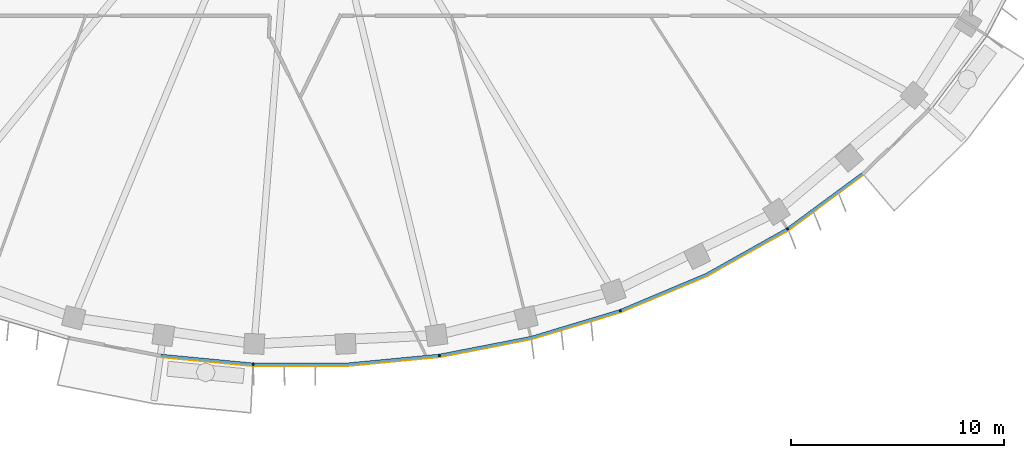
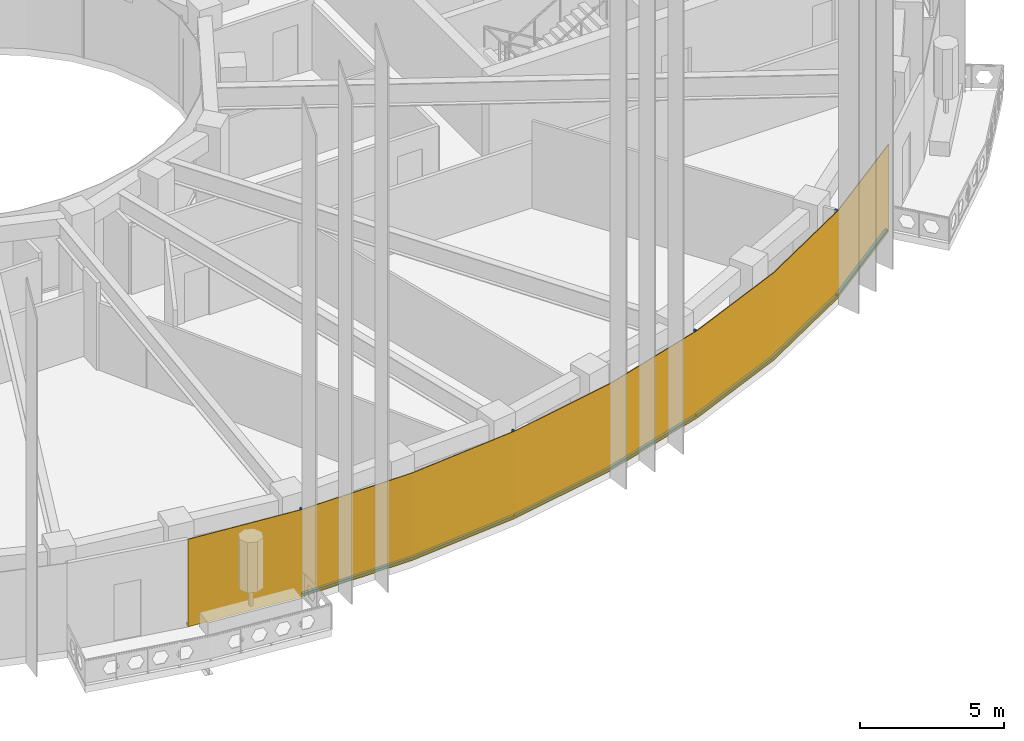
# One storey, part 9 of 17: 9 members, 1 curtain wall.
"""IFC4 building model written with IfcOpenShell, lengths in metres."""

from ifc_helpers import new_model, si_unit, direction, frame, origin, origin_2d, place, context, subcontext, project, spatial, polyline, rectangle, outline, extrude, material, layer, layer_set, material_profile, profile_set, type_object, element, aggregate, save


model = new_model("IFC4")

# Units and contexts
model_context = context("Model", 3, precision=1e-05, world=origin(), true_north=direction((0.0, 1.0)))
body_context = subcontext(model_context, "Body", "Model", "MODEL_VIEW")
ifc_project = project(units=[si_unit("LENGTHUNIT", "METRE"), si_unit("AREAUNIT", "SQUARE_METRE"), si_unit("VOLUMEUNIT", "CUBIC_METRE"), si_unit("PLANEANGLEUNIT", "RADIAN"), si_unit("MASSUNIT", "GRAM", prefix="KILO")], contexts=[model_context])

# Member
ifc_material_1 = material(Name="Aluminium 6063-T6 black anodised", Category="aluminium")
ifc_material_profile = material_profile(ifc_material_1, rectangle(XDim=0.1201171875, YDim=0.06005859375, at=origin_2d()), Name="120x60")
ifc_profile_set = profile_set([ifc_material_profile], Name="Aluminium 6063-T6 black anodised")
member_type_1 = type_object("IfcMemberType", Name="ENV-MULLION-A-120", PredefinedType="MULLION", material=ifc_profile_set)
site_placement = place(None, origin())
building_placement = place(site_placement, origin())
storey_placement = place(building_placement, frame((0.0, 0.0, 291.0)))
member_1_placement = place(storey_placement, frame((-2.188720703125, -27.856201171875, 0.0), z_axis=(0.0, 0.0, 1.0), x_axis=(0.047557873581, 0.998868484166, 0.0)))
member_1 = element("IfcMember", 1, at=member_1_placement, type_object=member_type_1, Name="Mullion A radial 35", PredefinedType="MULLION", context=body_context, shape_type="SweptSolid", body=[
    extrude(rectangle(XDim=0.1201171875, YDim=0.06005859375, at=origin_2d()), origin(), (0.0, 0.0, 1.0), 3.699951171875),
])

member_2_placement = place(storey_placement, frame((6.54638671875, -27.440185546875, 0.0), z_axis=(0.0, 0.0, 1.0), x_axis=(-0.143082012705, 0.989710835366, 0.0)))
member_2 = element("IfcMember", 2, at=member_2_placement, type_object=member_type_1, Name="Mullion A radial 37", PredefinedType="MULLION", context=body_context, shape_type="SweptSolid", body=[
    extrude(rectangle(XDim=0.1201171875, YDim=0.06005859375, at=origin_2d()), origin(), (0.0, 0.0, 1.0), 3.699951171875),
])

member_3_placement = place(storey_placement, frame((15.0341796875, -25.34375, 0.0), z_axis=(0.0, 0.0, 1.0), x_axis=(-0.338379256581, 0.941009818608, 0.0)))
member_3 = element("IfcMember", 3, at=member_3_placement, type_object=member_type_1, Name="Mullion A radial 39", PredefinedType="MULLION", context=body_context, shape_type="SweptSolid", body=[
    extrude(rectangle(XDim=0.1201171875, YDim=0.06005859375, at=origin_2d()), origin(), (0.0, 0.0, 1.0), 3.699951171875),
])

member_4_placement = place(storey_placement, frame((22.882568359375, -21.506591796875, 0.0), z_axis=(0.0, 0.0, 1.0), x_axis=(-0.542279153225, 0.840198381323, 0.0)))
member_4 = element("IfcMember", 4, at=member_4_placement, type_object=member_type_1, Name="Mullion A radial 41", PredefinedType="MULLION", context=body_context, shape_type="SweptSolid", body=[
    extrude(rectangle(XDim=0.1201171875, YDim=0.06005859375, at=origin_2d()), origin(), (0.0, 0.0, 1.0), 3.699951171875),
])

ifc_material_2 = material(Name="Aluminium 6063-T6 black anodised", Category="aluminium")
member_type_2 = type_object("IfcMemberType", Name="ENV-TRANSOM-A", PredefinedType="USERDEFINED", material=ifc_material_2)
member_5_placement = place(storey_placement, origin())
member_5 = element("IfcMember", 5, at=member_5_placement, type_object=member_type_2, Name="Transom A radial 34-35", ObjectType="TRANSOM", PredefinedType="USERDEFINED", context=body_context, shape_type="SweptSolid", body=[
    extrude(outline(polyline([(-6.53515625, -27.50146484375), (-2.219482421875, -27.913330078125), (-2.2138671875, -27.793212890625), (-6.51806640625, -27.382568359375), (-6.53515625, -27.50146484375)])), origin(), (0.0, 0.0, 1.0), 0.10009765625),
])

member_6_placement = place(storey_placement, origin())
member_6 = element("IfcMember", 6, at=member_6_placement, type_object=member_type_2, Name="Transom A radial 35-37", ObjectType="TRANSOM", PredefinedType="USERDEFINED", context=body_context, shape_type="SweptSolid", body=[
    extrude(outline(polyline([(-2.163818359375, -27.916015625), (2.191650390625, -27.916015625), (6.527099609375, -27.502197265625), (6.510009765625, -27.38330078125), (2.185791015625, -27.7958984375), (-2.157958984375, -27.7958984375), (-2.163818359375, -27.916015625)])), origin(), (0.0, 0.0, 1.0), 0.10009765625),
])

member_7_placement = place(storey_placement, origin())
member_7 = element("IfcMember", 7, at=member_7_placement, type_object=member_type_2, Name="Transom A radial 37-39", ObjectType="TRANSOM", PredefinedType="USERDEFINED", context=body_context, shape_type="SweptSolid", body=[
    extrude(outline(polyline([(6.58251953125, -27.494140625), (10.857666015625, -26.6630859375), (15.027587890625, -25.408203125), (14.987060546875, -25.295166015625), (10.828857421875, -26.54638671875), (6.5654296875, -27.375244140625), (6.58251953125, -27.494140625)])), origin(), (0.0, 0.0, 1.0), 0.10009765625),
])

member_8_placement = place(storey_placement, origin())
member_8 = element("IfcMember", 8, at=member_8_placement, type_object=member_type_2, Name="Transom A radial 39-41", ObjectType="TRANSOM", PredefinedType="USERDEFINED", context=body_context, shape_type="SweptSolid", body=[
    extrude(outline(polyline([(15.080322265625, -25.389404296875), (19.093994140625, -23.701416015625), (22.890625, -21.570556640625), (22.825439453125, -21.469482421875), (19.041259765625, -23.593505859375), (15.03955078125, -25.276123046875), (15.080322265625, -25.389404296875)])), origin(), (0.0, 0.0, 1.0), 0.10009765625),
])

member_9_placement = place(storey_placement, origin())
member_9 = element("IfcMember", 9, at=member_9_placement, type_object=member_type_2, Name="Transom A radial 41-42", ObjectType="TRANSOM", PredefinedType="USERDEFINED", context=body_context, shape_type="SweptSolid", body=[
    extrude(outline(polyline([(22.937744140625, -21.540283203125), (26.42626953125, -18.970703125), (26.348388671875, -18.87890625), (22.87255859375, -21.439208984375), (22.937744140625, -21.540283203125)])), origin(), (0.0, 0.0, 1.0), 0.10009765625),
])

# Site, building, storey
site = spatial("IfcSite", under=ifc_project, at=site_placement, CompositionType="ELEMENT")
building = spatial("IfcBuilding", under=site, at=building_placement, Name="Noorbagh Ring Tower", CompositionType="ELEMENT")
storey = spatial("IfcBuildingStorey", under=building, at=storey_placement, Name="L62", CompositionType="ELEMENT", Elevation=291.0)

# Curtain wall
ifc_material_3 = material(Name="Glass dark tinted laminated", Category="glass")
ifc_layer = layer(ifc_material_3, 0.031982421875)
ifc_layer_set = layer_set([ifc_layer], Name="Glass dark tinted laminated")
curtain_wall_type = type_object("IfcCurtainWallType", Name="ENV-CW-A", PredefinedType="NOTDEFINED", material=ifc_layer_set)
curtain_wall_placement = place(storey_placement, origin())
curtain_wall = element("IfcCurtainWall", 10, at=curtain_wall_placement, inside=storey, type_object=curtain_wall_type, Name="Curtain wall A R34", PredefinedType="NOTDEFINED", context=body_context, shape_type="SweptSolid", body=[
    extrude(outline(polyline([(-6.539794921875, -27.533203125), (-2.193115234375, -27.947998046875), (2.193115234375, -27.947998046875), (6.559814453125, -27.53125), (10.865234375, -26.6943359375), (15.065185546875, -25.430419921875), (19.108154296875, -23.730224609375), (22.9326171875, -21.583740234375), (26.447021484375, -18.9951171875), (26.42626953125, -18.970703125), (22.9150390625, -21.556884765625), (19.093994140625, -23.701416015625), (15.054443359375, -25.400146484375), (10.857666015625, -26.6630859375), (6.55517578125, -27.49951171875), (2.191650390625, -27.916015625), (-2.191650390625, -27.916015625), (-6.53515625, -27.50146484375), (-6.539794921875, -27.533203125)])), origin(), (0.0, 0.0, 1.0), 3.699951171875),
])

aggregate(curtain_wall, [member_1, member_2, member_3, member_4, member_5, member_6, member_7, member_8, member_9])

save(model, "model.ifc")
